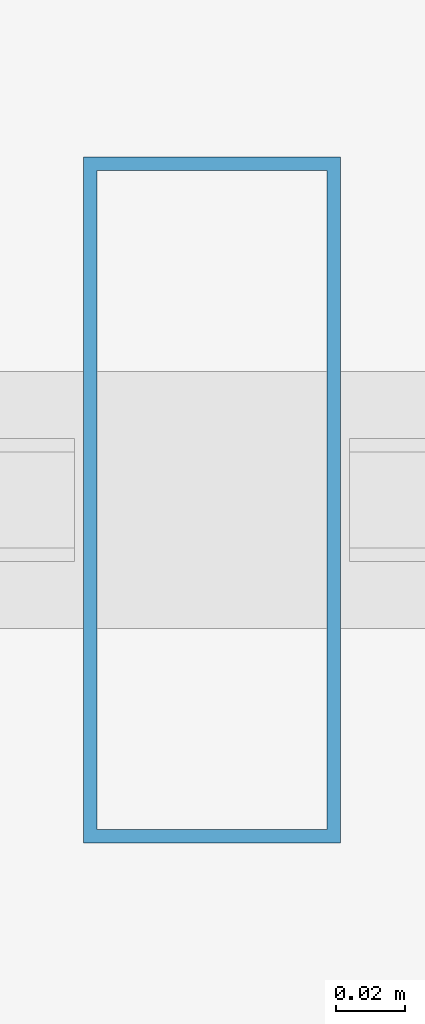
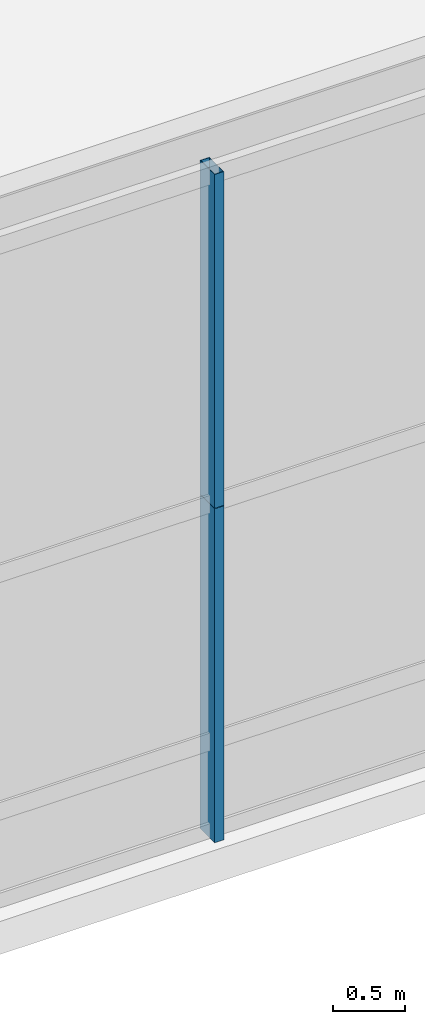
# One storey, part 13 of 39: 2 members, 1 element without a shape of its own.
"""IFC4 building model written with IfcOpenShell, lengths in metres."""

from ifc_helpers import new_model, si_unit, direction, frame, origin, origin_2d, place, context, subcontext, project, spatial, hollow_rectangle, extrude, source, transform, mapped, material, layer, layer_set, material_profile, profile_set, type_object, element, aggregate, save


model = new_model("IFC4")

# Units and contexts
model_context = context("Model", 3, precision=1e-05, world=origin(), true_north=direction((0.0, 1.0)))
body_context = subcontext(model_context, "Body", "Model", "MODEL_VIEW")
ifc_project = project(units=[si_unit("LENGTHUNIT", "METRE"), si_unit("AREAUNIT", "SQUARE_METRE"), si_unit("VOLUMEUNIT", "CUBIC_METRE"), si_unit("PLANEANGLEUNIT", "RADIAN"), si_unit("MASSUNIT", "GRAM", prefix="KILO"), si_unit("THERMODYNAMICTEMPERATUREUNIT", "KELVIN"), si_unit("POWERUNIT", "WATT")], contexts=[model_context])

# Site, building, storey
site_placement = place(None, origin())
site = spatial("IfcSite", under=ifc_project, at=site_placement, CompositionType="ELEMENT")
building_placement = place(site_placement, origin())
building = spatial("IfcBuilding", under=site, at=building_placement, Name="Yuzanri Waterfront Tower", CompositionType="ELEMENT")
storey_placement = place(building_placement, frame((0.0, 0.0, 19.800048828125)))
storey = spatial("IfcBuildingStorey", under=building, at=storey_placement, Name="L05", CompositionType="ELEMENT", Elevation=19.800048828125)

# Curtain wall, members
ifc_material_1 = material(Name="Anodized Architectural Bronze", Category="metal")
ifc_layer = layer(ifc_material_1, 0.159912109375)
ifc_layer_set = layer_set([ifc_layer], Name="Anodized Architectural Bronze")
curtain_wall_type = type_object("IfcCurtainWallType", Name="Anodized Bronze Podium Waterfront Double-Height Unitized Curtain Wall 8400", PredefinedType="NOTDEFINED", material=ifc_layer_set)
curtain_wall_placement = place(storey_placement, origin())
curtain_wall = element("IfcCurtainWall", 1, at=curtain_wall_placement, inside=storey, type_object=curtain_wall_type, Name="L05 Curtain Wall CW-L05-S2", PredefinedType="NOTDEFINED")
ifc_material_2 = material(Name="Anodized Architectural Bronze", Category="metal")
ifc_material_profile = material_profile(ifc_material_2, hollow_rectangle(XDim=0.074951171875, YDim=0.199951171875, WallThickness=0.00390625, at=origin_2d()), Name="CWM 75x200")
ifc_profile_set = profile_set([ifc_material_profile], Name="Anodized Architectural Bronze")
member_type = type_object("IfcMemberType", Name="Anodized Bronze Primary Curtain-Wall Mullion 75x200", PredefinedType="MULLION", material=ifc_profile_set)
shared_shape = source(origin(), body_context, "Body", "SweptSolid", [
    extrude(hollow_rectangle(XDim=0.074951171875, YDim=0.199951171875, WallThickness=0.00390625, at=origin_2d()), origin(), (0.0, 0.0, 1.0), 2.837890625),
])
member_1_placement = place(storey_placement, frame((47.75, 1.97998046875, 0.0), z_axis=(0.0, 0.0, 1.0), x_axis=(1.0, 0.0, 0.0)))
member_1 = element("IfcMember", 2, at=member_1_placement, type_object=member_type, Name="CW-L05-S2 Lower Mullion 01", PredefinedType="MULLION", context=body_context, shape_type="MappedRepresentation", body=[
    mapped(shared_shape, transform((0.0, 0.0, 0.0), scale=1.0)),
])
member_2_placement = place(storey_placement, frame((47.75, 1.97998046875, 2.842041015625), z_axis=(0.0, 0.0, 1.0), x_axis=(1.0, 0.0, 0.0)))
member_2 = element("IfcMember", 3, at=member_2_placement, type_object=member_type, Name="CW-L05-S2 Upper Mullion 01", PredefinedType="MULLION", context=body_context, shape_type="MappedRepresentation", body=[
    mapped(shared_shape, transform((0.0, 0.0, 0.0), scale=1.0)),
])
aggregate(curtain_wall, [member_1, member_2])

save(model, "model.ifc")
